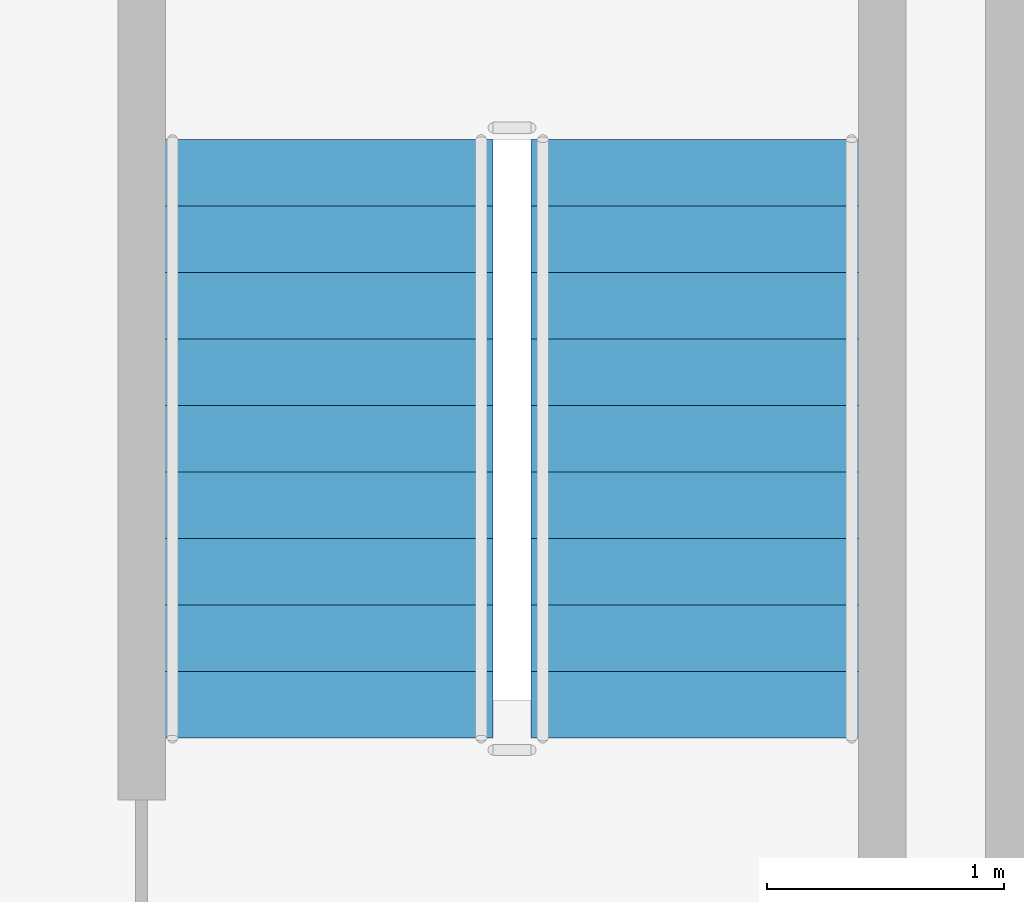
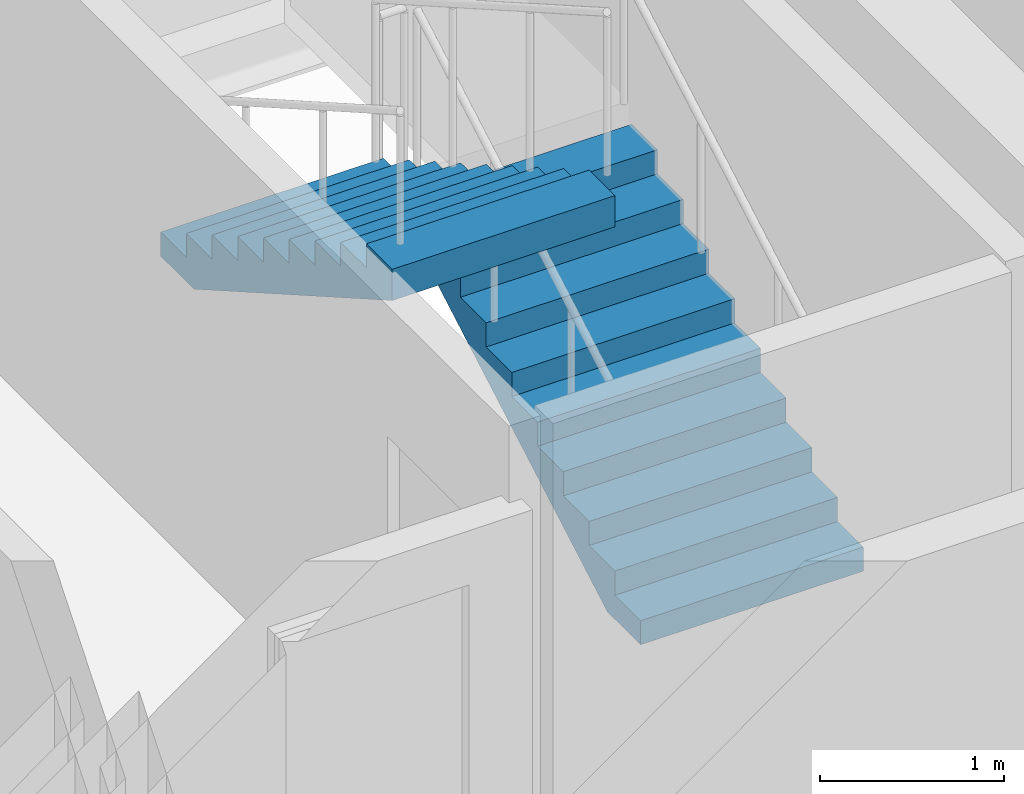
# One storey, part 4 of 6: 2 stair flights, 1 element without a shape of its own.
"""IFC4 building model written with IfcOpenShell, lengths in metres."""

from ifc_helpers import new_model, si_unit, direction, frame, origin, place, context, subcontext, project, spatial, polyline, outline, extrude, material, type_object, element, aggregate, save


model = new_model("IFC4")

# Units and contexts
model_context = context("Model", 3, precision=1e-05, world=origin(), true_north=direction((0.0, 1.0)))
body_context = subcontext(model_context, "Body", "Model", "MODEL_VIEW")
ifc_project = project(units=[si_unit("LENGTHUNIT", "METRE"), si_unit("AREAUNIT", "SQUARE_METRE"), si_unit("VOLUMEUNIT", "CUBIC_METRE"), si_unit("PLANEANGLEUNIT", "RADIAN"), si_unit("MASSUNIT", "GRAM", prefix="KILO")], contexts=[model_context])

# Site, building, storey
site_placement = place(None, origin())
site = spatial("IfcSite", under=ifc_project, at=site_placement, CompositionType="ELEMENT")
building_placement = place(site_placement, origin())
building = spatial("IfcBuilding", under=site, at=building_placement, Name="Kuzgunbayir Cultural Tower", CompositionType="ELEMENT")
storey_placement = place(building_placement, frame((0.0, 0.0, 221.60009765625)))
storey = spatial("IfcBuildingStorey", under=building, at=storey_placement, Name="L65", CompositionType="ELEMENT", Elevation=221.60009765625)

# Stair, stair flights
ifc_material = material(Name="Concrete C40/50", Category="concrete")
stair_type = type_object("IfcStairType", Name="STR-EXIT-CORE", PredefinedType="HALF_TURN_STAIR", material=ifc_material)
stair_placement = place(storey_placement, origin())
stair = element("IfcStair", 1, at=stair_placement, inside=storey, type_object=stair_type, Name="L65 ST-2", PredefinedType="HALF_TURN_STAIR")
stair_flight_type = type_object("IfcStairFlightType", Name="STRF-RC-140", PredefinedType="STRAIGHT", material=ifc_material)
stair_flight_1_placement = place(storey_placement, frame((25.4599609375, 35.60009765625, 0.0), z_axis=(0.0, 0.0, 1.0), x_axis=(0.0, 1.0, 0.0)))
stair_flight_1 = element("IfcStairFlight", 2, at=stair_flight_1_placement, type_object=stair_flight_type, Name="ST-2 flight 1", NumberOfRisers=10, NumberOfTreads=9, PredefinedType="STRAIGHT", RiserHeight=0.16, TreadLength=0.28, context=body_context, shape_type="SweptSolid", body=[
    extrude(outline(polyline([(0.0, 0.0), (0.0, 0.159912109375), (0.280029296875, 0.159912109375), (0.280029296875, 0.320068359375), (0.56005859375, 0.320068359375), (0.56005859375, 0.47998046875), (0.840087890625, 0.47998046875), (0.840087890625, 0.639892578125), (1.1201171875, 0.639892578125), (1.1201171875, 0.800048828125), (1.39990234375, 0.800048828125), (1.39990234375, 0.9599609375), (1.679931640625, 0.9599609375), (1.679931640625, 1.1201171875), (1.9599609375, 1.1201171875), (1.9599609375, 1.280029296875), (2.239990234375, 1.280029296875), (2.239990234375, 1.43994140625), (2.52001953125, 1.43994140625), (2.52001953125, 1.60009765625), (2.52001953125, 1.232666015625), (0.362548828125, 0.0), (0.0, 0.0)])), frame((0.0, 0.699951171875, 0.0), z_axis=(0.0, -1.0, 0.0), x_axis=(1.0, 0.0, 0.0)), (0.0, 0.0, 1.0), 1.39990234375),
])
stair_flight_2_placement = place(storey_placement, frame((23.89990234375, 38.1201171875, 1.599853515625), z_axis=(0.0, 0.0, 1.0), x_axis=(0.0, -1.0, 0.0)))
stair_flight_2 = element("IfcStairFlight", 3, at=stair_flight_2_placement, type_object=stair_flight_type, Name="ST-2 flight 2", NumberOfRisers=10, NumberOfTreads=9, PredefinedType="STRAIGHT", RiserHeight=0.16, TreadLength=0.28, context=body_context, shape_type="SweptSolid", body=[
    extrude(outline(polyline([(0.0, 0.0), (0.0, 0.159912109375), (0.280029296875, 0.159912109375), (0.280029296875, 0.320068359375), (0.56005859375, 0.320068359375), (0.56005859375, 0.47998046875), (0.840087890625, 0.47998046875), (0.840087890625, 0.639892578125), (1.1201171875, 0.639892578125), (1.1201171875, 0.800048828125), (1.39990234375, 0.800048828125), (1.39990234375, 0.9599609375), (1.679931640625, 0.9599609375), (1.679931640625, 1.1201171875), (1.9599609375, 1.1201171875), (1.9599609375, 1.280029296875), (2.239990234375, 1.280029296875), (2.239990234375, 1.43994140625), (2.52001953125, 1.43994140625), (2.52001953125, 1.60009765625), (2.52001953125, 1.232666015625), (0.362548828125, 0.0), (0.0, 0.0)])), frame((0.0, 0.699951171875, 0.0), z_axis=(0.0, -1.0, 0.0), x_axis=(1.0, 0.0, 0.0)), (0.0, 0.0, 1.0), 1.39990234375),
])
aggregate(stair, [stair_flight_1, stair_flight_2])

save(model, "model.ifc")
